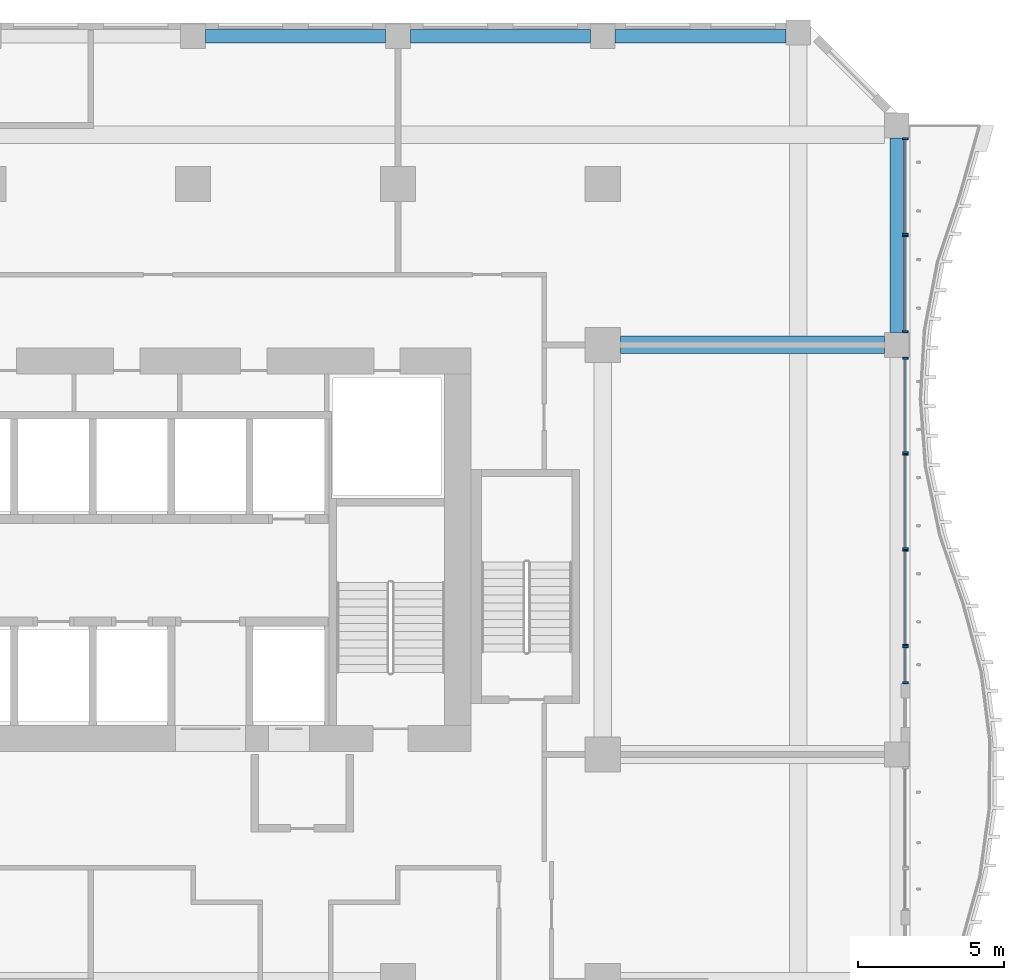
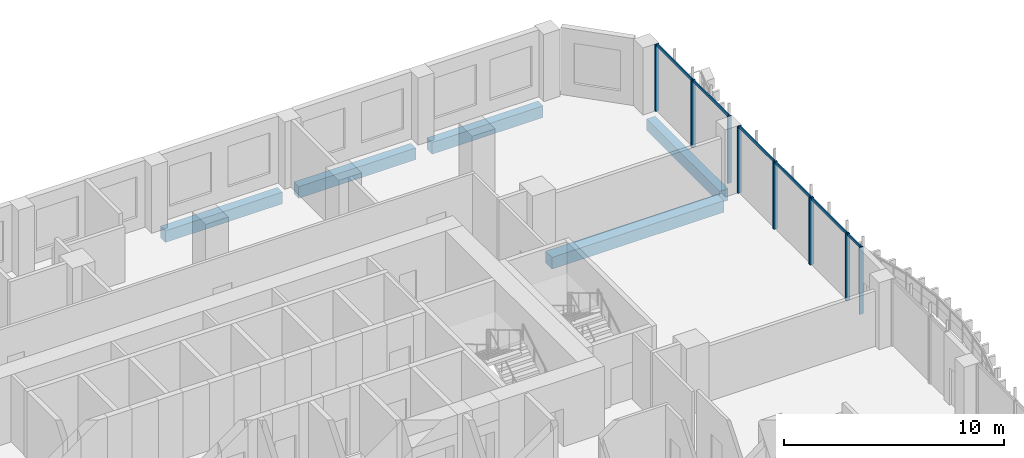
# One storey, part 8 of 26: 18 members, 5 beams, 6 elements without a shape of their own.
"""IFC4 building model written with IfcOpenShell, lengths in metres."""

from ifc_helpers import new_model, si_unit, direction, frame, origin, origin_2d, place, context, subcontext, project, spatial, rectangle, extrude, source, transform, mapped, material, material_profile, profile_set, type_object, element, aggregate, save


model = new_model("IFC4")

# Units and contexts
model_context = context("Model", 3, precision=1e-05, world=origin(), true_north=direction((0.0, 1.0)))
body_context = subcontext(model_context, "Body", "Model", "MODEL_VIEW")
ifc_project = project(units=[si_unit("LENGTHUNIT", "METRE"), si_unit("AREAUNIT", "SQUARE_METRE"), si_unit("VOLUMEUNIT", "CUBIC_METRE"), si_unit("PLANEANGLEUNIT", "RADIAN"), si_unit("MASSUNIT", "GRAM", prefix="KILO")], contexts=[model_context])

# Site, building, storey
site_placement = place(None, origin())
site = spatial("IfcSite", under=ifc_project, at=site_placement, CompositionType="ELEMENT")
building_placement = place(site_placement, origin())
building = spatial("IfcBuilding", under=site, at=building_placement, Name="Kilnfold Tower and Market Hall", CompositionType="ELEMENT")
storey_placement = place(building_placement, frame((0.0, 0.0, 108.60009765625)))
storey = spatial("IfcBuildingStorey", under=building, at=storey_placement, Name="L25", CompositionType="ELEMENT", Elevation=108.60009765625)

# Beams
ifc_material_1 = material(Name="Concrete C45", Category="concrete")
ifc_material_profile_1 = material_profile(ifc_material_1, rectangle(XDim=0.449951171875, YDim=0.64990234375, at=origin_2d()), Name="RC 450x650")
ifc_profile_set_1 = profile_set([ifc_material_profile_1], Name="Concrete C45")
beam_type_1 = type_object("IfcBeamType", Name="EDGE BEAM 450X650 C45", PredefinedType="BEAM", material=ifc_profile_set_1)
shared_shape_1 = source(origin(), body_context, "Body", "SweptSolid", [
    extrude(rectangle(XDim=0.449951171875, YDim=0.64990234375, at=origin_2d()), origin(), (0.0, 0.0, 1.0), 6.14990234375),
])
for number, where, z_axis, x_axis, name in (
    (1, (8.925048828125, 32.550048828125, -0.60498046875), (1.0, 0.0, 0.0), (0.0, 1.0, 0.0), "Beam EB650-B3.71"),
    (2, (15.925048828125, 32.550048828125, -0.60498046875), (1.0, 0.0, 0.0), (0.0, 1.0, 0.0), "Beam EB650-B3.72"),
):
    element("IfcBeam", number, at=place(storey_placement, frame(where, z_axis=z_axis, x_axis=x_axis)), inside=storey, type_object=beam_type_1, Name=name, PredefinedType="BEAM", context=body_context, shape_type="MappedRepresentation", body=[
        mapped(shared_shape_1, transform((0.0, 0.0, 0.0))),
    ])
ifc_material_2 = material(Name="Concrete C45", Category="concrete")
ifc_material_profile_2 = material_profile(ifc_material_2, rectangle(XDim=0.60009765625, YDim=0.64990234375, at=origin_2d()), Name="RC 600x650")
ifc_profile_set_2 = profile_set([ifc_material_profile_2], Name="Concrete C45")
beam_type_2 = type_object("IfcBeamType", Name="BEAM 600X650 C45", PredefinedType="BEAM", material=ifc_profile_set_2)
shared_shape_2 = source(origin(), body_context, "Body", "SweptSolid", [
    extrude(rectangle(XDim=0.60009765625, YDim=0.64990234375, at=origin_2d()), origin(), (0.0, 0.0, 1.0), 9.02490234375),
])
beam_1_placement = place(storey_placement, frame((23.10009765625, 22.0, -0.60498046875), z_axis=(1.0, 0.0, 0.0), x_axis=(0.0, 1.0, 0.0)))
element("IfcBeam", 3, at=beam_1_placement, inside=storey, type_object=beam_type_2, Name="Beam BB650-B3.65", PredefinedType="BEAM", context=body_context, shape_type="MappedRepresentation", body=[
    mapped(shared_shape_2, transform((0.0, 0.0, 0.0))),
])
shared_shape_3 = source(origin(), body_context, "Body", "SweptSolid", [
    extrude(rectangle(XDim=0.449951171875, YDim=0.64990234375, at=origin_2d()), origin(), (0.0, 0.0, 1.0), 5.831787109375),
])
beam_2_placement = place(storey_placement, frame((22.925048828125, 32.550048828125, -0.60498046875), z_axis=(1.0, 0.0, 0.0), x_axis=(0.0, 1.0, 0.0)))
element("IfcBeam", 4, at=beam_2_placement, inside=storey, type_object=beam_type_1, Name="Beam EB650-B3.73", PredefinedType="BEAM", context=body_context, shape_type="MappedRepresentation", body=[
    mapped(shared_shape_3, transform((0.0, 0.0, 0.0))),
])
shared_shape_4 = source(origin(), body_context, "Body", "SweptSolid", [
    extrude(rectangle(XDim=0.449951171875, YDim=0.64990234375, at=origin_2d()), origin(), (0.0, 0.0, 1.0), 6.64990234375),
])
beam_3_placement = place(storey_placement, frame((32.550048828125, 22.425048828125, -0.60498046875), z_axis=(0.0, 1.0, 0.0), x_axis=(-1.0, 0.0, 0.0)))
element("IfcBeam", 5, at=beam_3_placement, inside=storey, type_object=beam_type_1, Name="Beam EB650-B3.87", PredefinedType="BEAM", context=body_context, shape_type="MappedRepresentation", body=[
    mapped(shared_shape_4, transform((0.0, 0.0, 0.0))),
])

# Curtain wall, members
ifc_material_3 = material(Name="Aluminium and double glazing", Category="aluminium")
curtain_wall_type = type_object("IfcCurtainWallType", Name="CW OF2 VALLEY GLAZING", PredefinedType="NOTDEFINED", material=ifc_material_3)
curtain_wall_1_placement = place(storey_placement, origin())
curtain_wall_1 = element("IfcCurtainWall", 6, at=curtain_wall_1_placement, inside=storey, type_object=curtain_wall_type, Name="Curtain wall CW2 L25 E", PredefinedType="NOTDEFINED")
ifc_material_4 = material(Name="Aluminium", Category="aluminium")
ifc_material_profile_3 = material_profile(ifc_material_4, rectangle(XDim=0.06005859375, YDim=0.199951171875, at=origin_2d()), Name="MULLION 60x200")
ifc_profile_set_3 = profile_set([ifc_material_profile_3], Name="Aluminium")
member_type_1 = type_object("IfcMemberType", Name="MULLION 60X200", PredefinedType="MULLION", material=ifc_profile_set_3)
shared_shape_5 = source(origin(), body_context, "Body", "SweptSolid", [
    extrude(rectangle(XDim=0.06005859375, YDim=0.199951171875, at=origin_2d()), origin(), (0.0, 0.0, 1.0), 3.719970703125),
])
member_1_placement = place(storey_placement, frame((32.85009765625, 10.455078125, 0.0), z_axis=(0.0, 0.0, 1.0), x_axis=(0.0, 1.0, 0.0)))
member_1 = element("IfcMember", 7, at=member_1_placement, type_object=member_type_1, Name="CW2 mullion 1", PredefinedType="MULLION", context=body_context, shape_type="MappedRepresentation", body=[
    mapped(shared_shape_5, transform((0.0, 0.0, 0.0))),
])
member_2_placement = place(storey_placement, frame((32.85009765625, 11.6826171875, 0.0), z_axis=(0.0, 0.0, 1.0), x_axis=(0.0, 1.0, 0.0)))
member_2 = element("IfcMember", 8, at=member_2_placement, type_object=member_type_1, Name="CW2 mullion 2", PredefinedType="MULLION", context=body_context, shape_type="MappedRepresentation", body=[
    mapped(shared_shape_5, transform((0.0, 0.0, 0.0))),
])

curtain_wall_2_placement = place(storey_placement, origin())
curtain_wall_2 = element("IfcCurtainWall", 9, at=curtain_wall_2_placement, inside=storey, type_object=curtain_wall_type, Name="Curtain wall CW2 L25 E", PredefinedType="NOTDEFINED")
member_3_placement = place(storey_placement, frame((32.85009765625, 11.742431640625, 0.0), z_axis=(0.0, 0.0, 1.0), x_axis=(0.0, 1.0, 0.0)))
member_3 = element("IfcMember", 10, at=member_3_placement, type_object=member_type_1, Name="CW2 mullion 1", PredefinedType="MULLION", context=body_context, shape_type="MappedRepresentation", body=[
    mapped(shared_shape_5, transform((0.0, 0.0, 0.0))),
])
member_4_placement = place(storey_placement, frame((32.85009765625, 14.969970703125, 0.0), z_axis=(0.0, 0.0, 1.0), x_axis=(0.0, 1.0, 0.0)))
member_4 = element("IfcMember", 11, at=member_4_placement, type_object=member_type_1, Name="CW2 mullion 2", PredefinedType="MULLION", context=body_context, shape_type="MappedRepresentation", body=[
    mapped(shared_shape_5, transform((0.0, 0.0, 0.0))),
])

curtain_wall_3_placement = place(storey_placement, origin())
curtain_wall_3 = element("IfcCurtainWall", 12, at=curtain_wall_3_placement, inside=storey, type_object=curtain_wall_type, Name="Curtain wall CW2 L25 E", PredefinedType="NOTDEFINED")
member_5_placement = place(storey_placement, frame((32.85009765625, 15.030029296875, 0.0), z_axis=(0.0, 0.0, 1.0), x_axis=(0.0, 1.0, 0.0)))
member_5 = element("IfcMember", 13, at=member_5_placement, type_object=member_type_1, Name="CW2 mullion 1", PredefinedType="MULLION", context=body_context, shape_type="MappedRepresentation", body=[
    mapped(shared_shape_5, transform((0.0, 0.0, 0.0))),
])
member_6_placement = place(storey_placement, frame((32.85009765625, 18.257568359375, 0.0), z_axis=(0.0, 0.0, 1.0), x_axis=(0.0, 1.0, 0.0)))
member_6 = element("IfcMember", 14, at=member_6_placement, type_object=member_type_1, Name="CW2 mullion 2", PredefinedType="MULLION", context=body_context, shape_type="MappedRepresentation", body=[
    mapped(shared_shape_5, transform((0.0, 0.0, 0.0))),
])

curtain_wall_4_placement = place(storey_placement, origin())
curtain_wall_4 = element("IfcCurtainWall", 15, at=curtain_wall_4_placement, inside=storey, type_object=curtain_wall_type, Name="Curtain wall CW2 L25 E", PredefinedType="NOTDEFINED")
member_7_placement = place(storey_placement, frame((32.85009765625, 18.3173828125, 0.0), z_axis=(0.0, 0.0, 1.0), x_axis=(0.0, 1.0, 0.0)))
member_7 = element("IfcMember", 16, at=member_7_placement, type_object=member_type_1, Name="CW2 mullion 1", PredefinedType="MULLION", context=body_context, shape_type="MappedRepresentation", body=[
    mapped(shared_shape_5, transform((0.0, 0.0, 0.0))),
])
member_8_placement = place(storey_placement, frame((32.85009765625, 21.544921875, 0.0), z_axis=(0.0, 0.0, 1.0), x_axis=(0.0, 1.0, 0.0)))
member_8 = element("IfcMember", 17, at=member_8_placement, type_object=member_type_1, Name="CW2 mullion 2", PredefinedType="MULLION", context=body_context, shape_type="MappedRepresentation", body=[
    mapped(shared_shape_5, transform((0.0, 0.0, 0.0))),
])

curtain_wall_5_placement = place(storey_placement, origin())
curtain_wall_5 = element("IfcCurtainWall", 18, at=curtain_wall_5_placement, inside=storey, type_object=curtain_wall_type, Name="Curtain wall CW2 L25 E", PredefinedType="NOTDEFINED")
member_9_placement = place(storey_placement, frame((32.85009765625, 22.455078125, 0.0), z_axis=(0.0, 0.0, 1.0), x_axis=(0.0, 1.0, 0.0)))
member_9 = element("IfcMember", 19, at=member_9_placement, type_object=member_type_1, Name="CW2 mullion 1", PredefinedType="MULLION", context=body_context, shape_type="MappedRepresentation", body=[
    mapped(shared_shape_5, transform((0.0, 0.0, 0.0))),
])
member_10_placement = place(storey_placement, frame((32.85009765625, 25.719970703125, 0.0), z_axis=(0.0, 0.0, 1.0), x_axis=(0.0, 1.0, 0.0)))
member_10 = element("IfcMember", 20, at=member_10_placement, type_object=member_type_1, Name="CW2 mullion 2", PredefinedType="MULLION", context=body_context, shape_type="MappedRepresentation", body=[
    mapped(shared_shape_5, transform((0.0, 0.0, 0.0))),
])

curtain_wall_6_placement = place(storey_placement, origin())
curtain_wall_6 = element("IfcCurtainWall", 21, at=curtain_wall_6_placement, inside=storey, type_object=curtain_wall_type, Name="Curtain wall CW2 L25 E", PredefinedType="NOTDEFINED")
member_11_placement = place(storey_placement, frame((32.85009765625, 25.780029296875, 0.0), z_axis=(0.0, 0.0, 1.0), x_axis=(0.0, 1.0, 0.0)))
member_11 = element("IfcMember", 22, at=member_11_placement, type_object=member_type_1, Name="CW2 mullion 1", PredefinedType="MULLION", context=body_context, shape_type="MappedRepresentation", body=[
    mapped(shared_shape_5, transform((0.0, 0.0, 0.0))),
])
member_12_placement = place(storey_placement, frame((32.85009765625, 29.044921875, 0.0), z_axis=(0.0, 0.0, 1.0), x_axis=(0.0, 1.0, 0.0)))
member_12 = element("IfcMember", 23, at=member_12_placement, type_object=member_type_1, Name="CW2 mullion 2", PredefinedType="MULLION", context=body_context, shape_type="MappedRepresentation", body=[
    mapped(shared_shape_5, transform((0.0, 0.0, 0.0))),
])

# Member
ifc_material_5 = material(Name="Aluminium", Category="aluminium")
ifc_material_profile_4 = material_profile(ifc_material_5, rectangle(XDim=0.06005859375, YDim=0.159912109375, at=origin_2d()), Name="TRANSOM 60x160")
ifc_profile_set_4 = profile_set([ifc_material_profile_4], Name="Aluminium")
member_type_2 = type_object("IfcMemberType", Name="TRANSOM 60X160", PredefinedType="USERDEFINED", material=ifc_profile_set_4)
shared_shape_6 = source(origin(), body_context, "Body", "SweptSolid", [
    extrude(rectangle(XDim=0.06005859375, YDim=0.159912109375, at=origin_2d()), origin(), (0.0, 0.0, 1.0), 3.16748046875),
])
member_13_placement = place(storey_placement, frame((32.85009765625, 11.7724609375, 3.68994140625), z_axis=(0.0, 1.0, 0.0), x_axis=(-1.0, 0.0, 0.0)))
member_13 = element("IfcMember", 24, at=member_13_placement, type_object=member_type_2, Name="CW2 transom 1.2", ObjectType="TRANSOM", PredefinedType="USERDEFINED", context=body_context, shape_type="MappedRepresentation", body=[
    mapped(shared_shape_6, transform((0.0, 0.0, 0.0))),
])

aggregate(curtain_wall_2, [member_3, member_4, member_13])

member_14_placement = place(storey_placement, frame((32.85009765625, 15.06005859375, 3.68994140625), z_axis=(0.0, 1.0, 0.0), x_axis=(-1.0, 0.0, 0.0)))
member_14 = element("IfcMember", 25, at=member_14_placement, type_object=member_type_2, Name="CW2 transom 1.2", ObjectType="TRANSOM", PredefinedType="USERDEFINED", context=body_context, shape_type="MappedRepresentation", body=[
    mapped(shared_shape_6, transform((0.0, 0.0, 0.0))),
])

aggregate(curtain_wall_3, [member_5, member_6, member_14])

member_15_placement = place(storey_placement, frame((32.85009765625, 18.347412109375, 3.68994140625), z_axis=(0.0, 1.0, 0.0), x_axis=(-1.0, 0.0, 0.0)))
member_15 = element("IfcMember", 26, at=member_15_placement, type_object=member_type_2, Name="CW2 transom 1.2", ObjectType="TRANSOM", PredefinedType="USERDEFINED", context=body_context, shape_type="MappedRepresentation", body=[
    mapped(shared_shape_6, transform((0.0, 0.0, 0.0))),
])

aggregate(curtain_wall_4, [member_7, member_8, member_15])

shared_shape_7 = source(origin(), body_context, "Body", "SweptSolid", [
    extrude(rectangle(XDim=0.06005859375, YDim=0.159912109375, at=origin_2d()), origin(), (0.0, 0.0, 1.0), 3.204833984375),
])
member_16_placement = place(storey_placement, frame((32.85009765625, 22.485107421875, 3.68994140625), z_axis=(0.0, 1.0, 0.0), x_axis=(-1.0, 0.0, 0.0)))
member_16 = element("IfcMember", 27, at=member_16_placement, type_object=member_type_2, Name="CW2 transom 1.2", ObjectType="TRANSOM", PredefinedType="USERDEFINED", context=body_context, shape_type="MappedRepresentation", body=[
    mapped(shared_shape_7, transform((0.0, 0.0, 0.0))),
])

aggregate(curtain_wall_5, [member_9, member_10, member_16])

member_17_placement = place(storey_placement, frame((32.85009765625, 25.81005859375, 3.68994140625), z_axis=(0.0, 1.0, 0.0), x_axis=(-1.0, 0.0, 0.0)))
member_17 = element("IfcMember", 28, at=member_17_placement, type_object=member_type_2, Name="CW2 transom 1.2", ObjectType="TRANSOM", PredefinedType="USERDEFINED", context=body_context, shape_type="MappedRepresentation", body=[
    mapped(shared_shape_7, transform((0.0, 0.0, 0.0))),
])

aggregate(curtain_wall_6, [member_11, member_12, member_17])

shared_shape_8 = source(origin(), body_context, "Body", "SweptSolid", [
    extrude(rectangle(XDim=0.06005859375, YDim=0.159912109375, at=origin_2d()), origin(), (0.0, 0.0, 1.0), 1.16748046875),
])
member_18_placement = place(storey_placement, frame((32.85009765625, 10.485107421875, 3.68994140625), z_axis=(0.0, 1.0, 0.0), x_axis=(-1.0, 0.0, 0.0)))
member_18 = element("IfcMember", 29, at=member_18_placement, type_object=member_type_2, Name="CW2 transom 1.2", ObjectType="TRANSOM", PredefinedType="USERDEFINED", context=body_context, shape_type="MappedRepresentation", body=[
    mapped(shared_shape_8, transform((0.0, 0.0, 0.0))),
])

aggregate(curtain_wall_1, [member_1, member_2, member_18])

save(model, "model.ifc")
